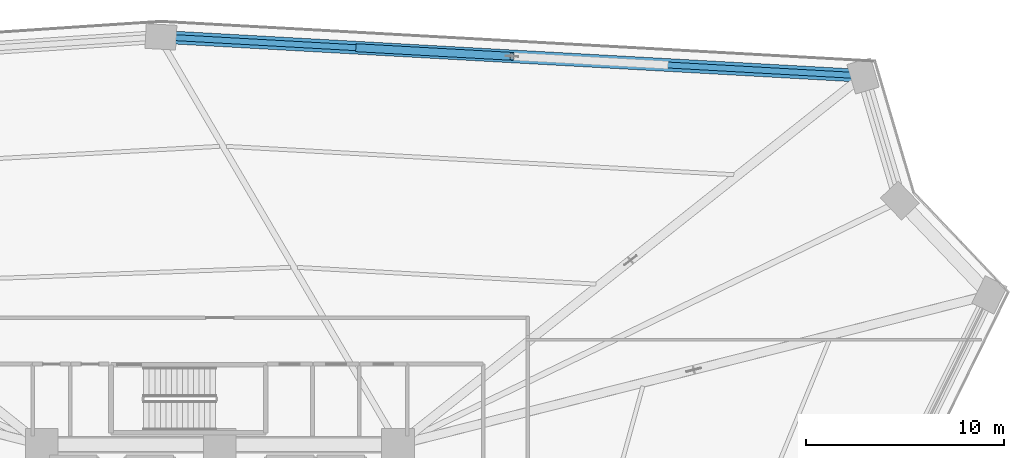
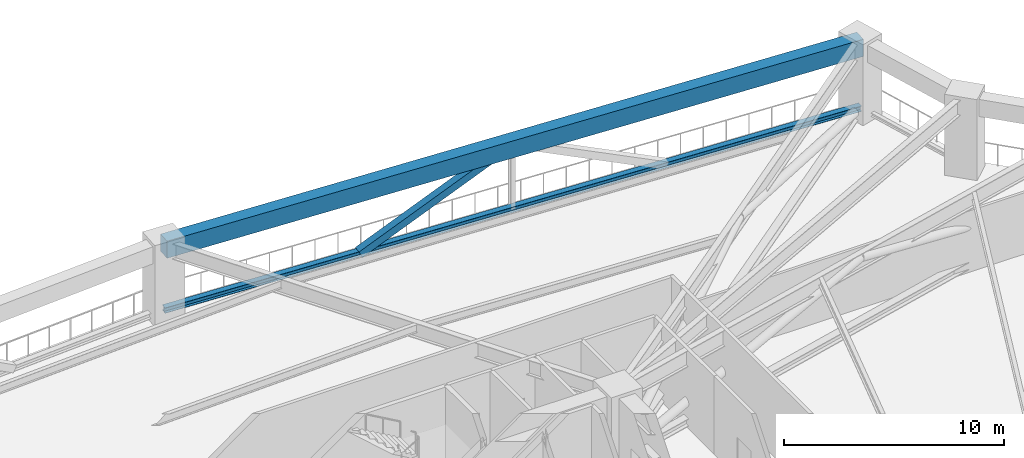
# One storey, part 10 of 25: 2 members, 1 beam.
"""IFC4 building model written with IfcOpenShell, lengths in metres."""

from ifc_helpers import new_model, si_unit, direction, frame, origin, origin_2d, place, context, subcontext, project, spatial, rectangle, hollow_rectangle, i_section, extrude, source, transform, mapped, material, material_profile, profile_set, type_object, element, save


model = new_model("IFC4")

# Units and contexts
model_context = context("Model", 3, precision=1e-05, world=origin(), true_north=direction((0.0, 1.0)))
body_context = subcontext(model_context, "Body", "Model", "MODEL_VIEW")
ifc_project = project(units=[si_unit("LENGTHUNIT", "METRE"), si_unit("AREAUNIT", "SQUARE_METRE"), si_unit("VOLUMEUNIT", "CUBIC_METRE"), si_unit("PLANEANGLEUNIT", "RADIAN"), si_unit("MASSUNIT", "GRAM", prefix="KILO")], contexts=[model_context])

# Site, building, storey
site_placement = place(None, origin())
site = spatial("IfcSite", under=ifc_project, at=site_placement, CompositionType="ELEMENT")
building_placement = place(site_placement, origin())
building = spatial("IfcBuilding", under=site, at=building_placement, Name="Liaohun Quay Tower", CompositionType="ELEMENT")
storey_placement = place(building_placement, frame((0.0, 0.0, 47.25)))
storey = spatial("IfcBuildingStorey", under=building, at=storey_placement, Name="L12", CompositionType="ELEMENT", Elevation=47.25)

# Beam
ifc_material_1 = material(Name="Precast concrete C55", Category="concrete")
ifc_material_profile_1 = material_profile(ifc_material_1, rectangle(XDim=0.64990234375, YDim=0.949951171875, at=origin_2d()), Name="RC650x950")
ifc_profile_set_1 = profile_set([ifc_material_profile_1], Name="Precast concrete C55")
beam_type = type_object("IfcBeamType", Name="BM-SPD-Z1", PredefinedType="SPANDREL", material=ifc_profile_set_1)
shared_shape_1 = source(origin(), body_context, "Body", "SweptSolid", [
    extrude(rectangle(XDim=0.64990234375, YDim=0.949951171875, at=origin_2d()), origin(), (0.0, 0.0, 1.0), 35.53466796875),
])
beam_placement = place(storey_placement, frame((57.02197265625, 82.111083984375, 3.844970703125), z_axis=(0.998460226363, -0.055472302738, 0.0), x_axis=(0.055472302738, 0.998460226363, 0.0)))
element("IfcBeam", 1, at=beam_placement, inside=storey, type_object=beam_type, Name="L12 Precast Spandrel Beam PC06-PC07", PredefinedType="SPANDREL", context=body_context, shape_type="MappedRepresentation", body=[
    mapped(shared_shape_1, transform((0.0, 0.0, 0.0), x_axis=(1.0, 0.0, 0.0), y_axis=(0.0, 1.0, 0.0), z_axis=(0.0, 0.0, 1.0), scale=1.0)),
])

# Members
ifc_material_2 = material(Name="Steel Q355D", Category="steel")
ifc_material_profile_2 = material_profile(ifc_material_2, i_section(OverallWidth=0.300048828125, OverallDepth=0.300048828125, WebThickness=0.010009765625, FlangeThickness=0.014892578125, at=origin_2d()), Name="HW300x300x10x15")
ifc_profile_set_2 = profile_set([ifc_material_profile_2], Name="Steel Q355D")
member_type_1 = type_object("IfcMemberType", Name="MEM-BLT-CHD", PredefinedType="CHORD", material=ifc_profile_set_2)
shared_shape_2 = source(origin(), body_context, "Body", "SweptSolid", [
    extrude(i_section(OverallWidth=0.300048828125, OverallDepth=0.300048828125, WebThickness=0.010009765625, FlangeThickness=0.014892578125, at=origin_2d()), origin(), (0.0, 0.0, 1.0), 35.53466796875),
])
member_1_placement = place(storey_placement, frame((57.02197265625, 82.111083984375, 0.35009765625), z_axis=(0.998460226363, -0.055472302738, 0.0), x_axis=(0.055472302738, 0.998460226363, 0.0)))
element("IfcMember", 2, at=member_1_placement, inside=storey, type_object=member_type_1, Name="L12 Belt Truss Bottom Chord BC-1-04", PredefinedType="CHORD", context=body_context, shape_type="MappedRepresentation", body=[
    mapped(shared_shape_2, transform((0.0, 0.0, 0.0), x_axis=(1.0, 0.0, 0.0), y_axis=(0.0, 1.0, 0.0), z_axis=(0.0, 0.0, 1.0), scale=1.0)),
])
ifc_material_3 = material(Name="Steel Q420D", Category="steel")
ifc_material_profile_3 = material_profile(ifc_material_3, hollow_rectangle(XDim=0.39990234375, YDim=0.39990234375, WallThickness=0.02001953125, at=origin_2d()), Name="SHS400x400x20")
ifc_profile_set_3 = profile_set([ifc_material_profile_3], Name="Steel Q420D")
member_type_2 = type_object("IfcMemberType", Name="MEM-BLT-DG1", PredefinedType="BRACE", material=ifc_profile_set_3)
shared_shape_3 = source(origin(), body_context, "Body", "SweptSolid", [
    extrude(hollow_rectangle(XDim=0.39990234375, YDim=0.39990234375, WallThickness=0.02001953125, at=origin_2d()), origin(), (0.0, 0.0, 1.0), 8.636474609375),
])
member_2_placement = place(storey_placement, frame((66.9560546875, 81.55908203125, 0.35009765625), z_axis=(0.903833926347, -0.050148606178, 0.424934525407), x_axis=(0.055399107088, 0.998464290265, 0.0)))
element("IfcMember", 3, at=member_2_placement, inside=storey, type_object=member_type_2, Name="L12 Belt Truss Diagonal BD-04A", PredefinedType="BRACE", context=body_context, shape_type="MappedRepresentation", body=[
    mapped(shared_shape_3, transform((0.0, 0.0, 0.0), x_axis=(1.0, 0.0, 0.0), y_axis=(0.0, 1.0, 0.0), z_axis=(0.0, 0.0, 1.0), scale=1.0)),
])

save(model, "model.ifc")
